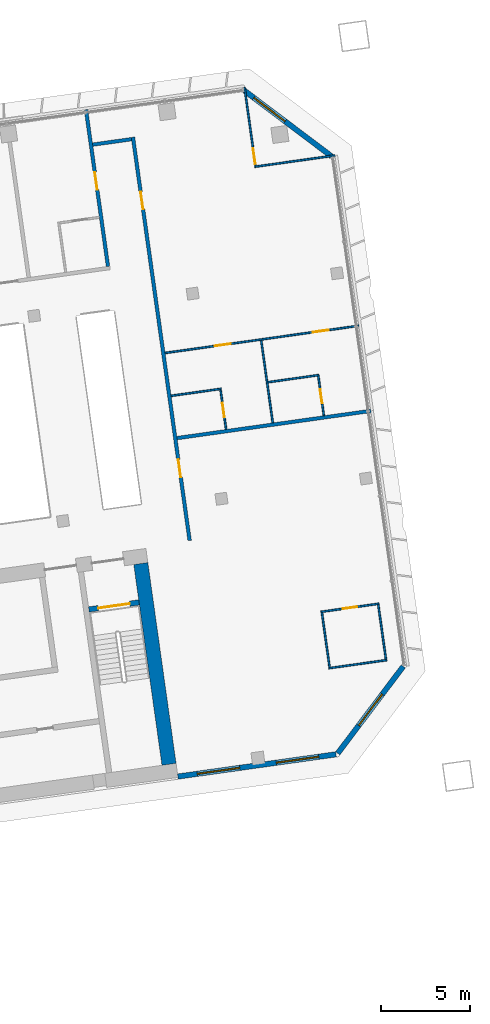
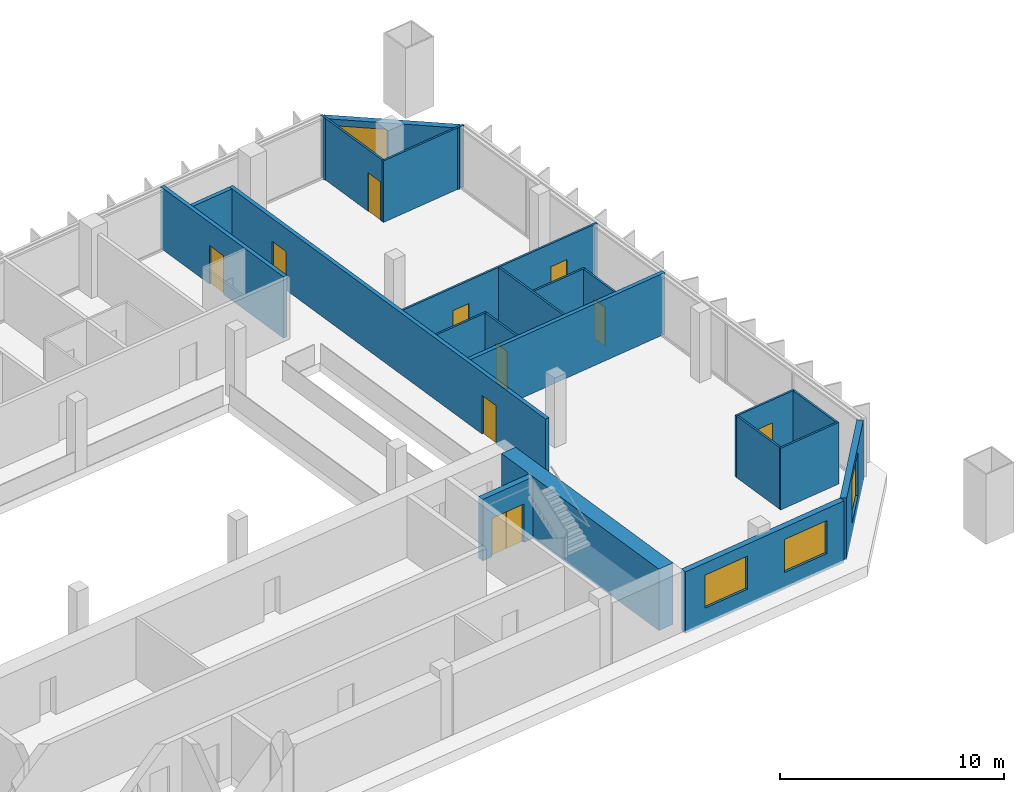
# One storey, part 21 of 24: 21 walls, 10 doors, 4 windows, 14 openings.
"""IFC4 building model written with IfcOpenShell, lengths in metres."""

from ifc_helpers import new_model, si_unit, direction, frame, frame_2d, origin, place, context, subcontext, project, spatial, rectangle, extrude, material, layer, layer_set, type_object, element, fill, save


model = new_model("IFC4")

# Units and contexts
model_context = context("Model", 3, precision=1e-05, world=origin(), true_north=direction((0.0, 1.0)))
body_context = subcontext(model_context, "Body", "Model", "MODEL_VIEW")
ifc_project = project(units=[si_unit("LENGTHUNIT", "METRE"), si_unit("AREAUNIT", "SQUARE_METRE"), si_unit("VOLUMEUNIT", "CUBIC_METRE"), si_unit("PLANEANGLEUNIT", "RADIAN"), si_unit("MASSUNIT", "GRAM", prefix="KILO")], contexts=[model_context])

# Site, building, storey
site_placement = place(None, origin())
site = spatial("IfcSite", under=ifc_project, at=site_placement, CompositionType="ELEMENT")
building_placement = place(site_placement, origin())
building = spatial("IfcBuilding", under=site, at=building_placement, Name="Mirante Cascada Hotel Towers", CompositionType="ELEMENT")
storey_placement = place(building_placement, frame((0.0, 0.0, 132.9)))
storey = spatial("IfcBuildingStorey", under=building, at=storey_placement, Name="L30", CompositionType="ELEMENT", Elevation=132.9)

# Walls
ifc_material_1 = material(Name="Fire-rated plasterboard on metal studs")
ifc_layer_1 = layer(ifc_material_1, 0.2)
ifc_layer_set_1 = layer_set([ifc_layer_1], Name="Compartment wall 200 EI 120")
wall_type_1 = type_object("IfcWallType", Name="Compartment wall 200 EI 120", PredefinedType="PARTITIONING", material=ifc_layer_set_1)
wall_1_placement = place(storey_placement, frame((90.4064, 6.4896, 0.0), z_axis=(0.0, 0.0, 1.0), x_axis=(0.990268, 0.1391733, 0.0)))
element("IfcWall", 1, at=wall_1_placement, inside=storey, type_object=wall_type_1, Name="Wall 2-L30-05", PredefinedType="PARTITIONING", context=body_context, shape_type="SweptSolid", body=[
    extrude(rectangle(XDim=11.0, YDim=0.2, at=frame_2d((5.5, 0.0))), origin(), (0.0, 0.0, 1.0), 3.35),
])
wall_2_placement = place(storey_placement, frame((85.6638, 22.9901, 0.0), z_axis=(0.0, 0.0, 1.0), x_axis=(0.990267, 0.139181, 0.0)))
element("IfcWall", 2, at=wall_2_placement, inside=storey, type_object=wall_type_1, Name="Wall 2-L30-21", PredefinedType="PARTITIONING", context=body_context, shape_type="SweptSolid", body=[
    extrude(rectangle(XDim=2.2, YDim=0.2, at=frame_2d((1.1, 0.0))), origin(), (0.0, 0.0, 1.0), 3.35),
])

# Wall, opening, door
wall_3_placement = place(storey_placement, frame((86.525, 16.1433, 0.0), z_axis=(0.0, 0.0, 1.0), x_axis=(-0.1391684, 0.9902687, 0.0)))
wall_3 = element("IfcWall", 3, at=wall_3_placement, inside=storey, type_object=wall_type_1, Name="Wall 2-L30-45", PredefinedType="PARTITIONING", context=body_context, shape_type="SweptSolid", body=[
    extrude(rectangle(XDim=8.9, YDim=0.2, at=frame_2d((4.45, 0.0))), origin(), (0.0, 0.0, 1.0), 3.35),
])
opening_1_placement = place(wall_3_placement, frame((4.35, 0.0, 0.0)))
opening_1 = element("IfcOpeningElement", 4, at=opening_1_placement, cuts=wall_3, Name="Opening D2-L30-26", PredefinedType="OPENING", context=body_context, shape_type="SweptSolid", body=[
    extrude(rectangle(XDim=1.0, YDim=2.1, at=frame_2d((0.5, 1.05))), frame((0.0, 0.1, 0.0), z_axis=(0.0, -1.0, 0.0), x_axis=(1.0, 0.0, 0.0)), (0.0, 0.0, 1.0), 0.2),
])
ifc_material_2 = material(Name="Fire-rated timber door leaf", Category="wood")
door_type_1 = type_object("IfcDoorType", Name="Entrance door DG1 1000x2100 EI 60", OperationType="SINGLE_SWING_LEFT", PredefinedType="DOOR", material=ifc_material_2)
door_1_placement = place(opening_1_placement, origin())
door_1 = element("IfcDoor", 5, at=door_1_placement, inside=storey, type_object=door_type_1, Name="Door D2-L30-26", OperationType="SINGLE_SWING_LEFT", OverallHeight=2.1, OverallWidth=1.0, PredefinedType="DOOR", context=body_context, shape_type="SweptSolid", body=[
    extrude(rectangle(XDim=1.0, YDim=2.1, at=frame_2d((0.5, 1.05))), frame((0.0, 0.025, 0.0), z_axis=(0.0, -1.0, 0.0), x_axis=(1.0, 0.0, 0.0)), (0.0, 0.0, 1.0), 0.05),
])
fill(opening_1, door_1)

# Wall, openings, doors
wall_4_placement = place(storey_placement, frame((87.9275, 23.4092, 0.0), z_axis=(0.0, 0.0, 1.0), x_axis=(0.1391706, -0.9902684, 0.0)))
wall_4 = element("IfcWall", 6, at=wall_4_placement, inside=storey, type_object=wall_type_1, Name="Wall 2-L30-46", PredefinedType="PARTITIONING", context=body_context, shape_type="SweptSolid", body=[
    extrude(rectangle(XDim=22.9, YDim=0.2, at=frame_2d((11.45, 0.0))), origin(), (0.0, 0.0, 1.0), 3.35),
])
opening_2_placement = place(wall_4_placement, frame((18.3, 0.0, 0.0)))
opening_2 = element("IfcOpeningElement", 7, at=opening_2_placement, cuts=wall_4, Name="Opening D2-L30-27", PredefinedType="OPENING", context=body_context, shape_type="SweptSolid", body=[
    extrude(rectangle(XDim=1.0, YDim=2.1, at=frame_2d((0.5, 1.05))), frame((0.0, 0.1, 0.0), z_axis=(0.0, -1.0, 0.0), x_axis=(1.0, 0.0, 0.0)), (0.0, 0.0, 1.0), 0.2),
])
opening_3_placement = place(wall_4_placement, frame((3.1, 0.0, 0.0)))
opening_3 = element("IfcOpeningElement", 8, at=opening_3_placement, cuts=wall_4, Name="Opening D2-L30-28", PredefinedType="OPENING", context=body_context, shape_type="SweptSolid", body=[
    extrude(rectangle(XDim=1.0, YDim=2.1, at=frame_2d((0.5, 1.05))), frame((0.0, 0.1, 0.0), z_axis=(0.0, -1.0, 0.0), x_axis=(1.0, 0.0, 0.0)), (0.0, 0.0, 1.0), 0.2),
])
door_2_placement = place(opening_2_placement, origin())
door_2 = element("IfcDoor", 9, at=door_2_placement, inside=storey, type_object=door_type_1, Name="Door D2-L30-27", OperationType="SINGLE_SWING_LEFT", OverallHeight=2.1, OverallWidth=1.0, PredefinedType="DOOR", context=body_context, shape_type="SweptSolid", body=[
    extrude(rectangle(XDim=1.0, YDim=2.1, at=frame_2d((0.5, 1.05))), frame((0.0, 0.025, 0.0), z_axis=(0.0, -1.0, 0.0), x_axis=(1.0, 0.0, 0.0)), (0.0, 0.0, 1.0), 0.05),
])
fill(opening_2, door_2)
door_3_placement = place(opening_3_placement, origin())
door_3 = element("IfcDoor", 10, at=door_3_placement, inside=storey, type_object=door_type_1, Name="Door D2-L30-28", OperationType="SINGLE_SWING_LEFT", OverallHeight=2.1, OverallWidth=1.0, PredefinedType="DOOR", context=body_context, shape_type="SweptSolid", body=[
    extrude(rectangle(XDim=1.0, YDim=2.1, at=frame_2d((0.5, 1.05))), frame((0.0, 0.025, 0.0), z_axis=(0.0, -1.0, 0.0), x_axis=(1.0, 0.0, 0.0)), (0.0, 0.0, 1.0), 0.05),
])
fill(opening_3, door_3)

# Wall
ifc_material_3 = material(Name="Plasterboard on metal studs")
ifc_layer_2 = layer(ifc_material_3, 0.1)
ifc_layer_set_2 = layer_set([ifc_layer_2], Name="Partition 100")
wall_type_2 = type_object("IfcWallType", Name="Partition 100", PredefinedType="PARTITIONING", material=ifc_layer_set_2)
wall_5_placement = place(storey_placement, frame((98.9401, -6.4487, 0.0), z_axis=(0.0, 0.0, 1.0), x_axis=(0.9902664, 0.1391852, 0.0)))
element("IfcWall", 11, at=wall_5_placement, inside=storey, type_object=wall_type_2, Name="Wall 2-L30-01", PredefinedType="PARTITIONING", context=body_context, shape_type="SweptSolid", body=[
    extrude(rectangle(XDim=3.2999, YDim=0.1, at=frame_2d((1.65, 0.0))), origin(), (0.0, 0.0, 1.0), 3.35),
])

# Wall, opening, door
wall_6_placement = place(storey_placement, frame((101.7626, -2.8206, 0.0), z_axis=(0.0, 0.0, 1.0), x_axis=(-0.9902711, -0.1391513, 0.0)))
wall_6 = element("IfcWall", 12, at=wall_6_placement, inside=storey, type_object=wall_type_2, Name="Wall 2-L30-02", PredefinedType="PARTITIONING", context=body_context, shape_type="SweptSolid", body=[
    extrude(rectangle(XDim=3.3, YDim=0.1, at=frame_2d((1.65, 0.0))), origin(), (0.0, 0.0, 1.0), 3.35),
])
opening_4_placement = place(wall_6_placement, frame((1.25, 0.0, 0.0)))
opening_4 = element("IfcOpeningElement", 13, at=opening_4_placement, cuts=wall_6, Name="Opening D2-L30-01", PredefinedType="OPENING", context=body_context, shape_type="SweptSolid", body=[
    extrude(rectangle(XDim=0.8, YDim=2.1, at=frame_2d((0.4, 1.05))), frame((0.0, 0.05, 0.0), z_axis=(0.0, -1.0, 0.0), x_axis=(1.0, 0.0, 0.0)), (0.0, 0.0, 1.0), 0.1),
])
ifc_material_4 = material(Name="Timber door leaf", Category="wood")
door_type_2 = type_object("IfcDoorType", Name="Bathroom door DG4 800x2100", OperationType="SINGLE_SWING_LEFT", PredefinedType="DOOR", material=ifc_material_4)
door_4_placement = place(opening_4_placement, frame((0.8, 0.0, 0.0), z_axis=(0.0, 0.0, 1.0), x_axis=(-1.0, 0.0, 0.0)))
door_4 = element("IfcDoor", 14, at=door_4_placement, inside=storey, type_object=door_type_2, Name="Door D2-L30-01", OperationType="SINGLE_SWING_RIGHT", OverallHeight=2.1, OverallWidth=0.8, PredefinedType="DOOR", context=body_context, shape_type="SweptSolid", body=[
    extrude(rectangle(XDim=0.8, YDim=2.1, at=frame_2d((0.4, 1.05))), frame((0.0, 0.025, 0.0), z_axis=(0.0, -1.0, 0.0), x_axis=(1.0, 0.0, 0.0)), (0.0, 0.0, 1.0), 0.05),
])
fill(opening_4, door_4)

# Walls
wall_7_placement = place(storey_placement, frame((90.0723, 8.8662, 0.0), z_axis=(0.0, 0.0, 1.0), x_axis=(0.9902704, 0.1391564, 0.0)))
element("IfcWall", 15, at=wall_7_placement, inside=storey, type_object=wall_type_2, Name="Wall 2-L30-07", PredefinedType="PARTITIONING", context=body_context, shape_type="SweptSolid", body=[
    extrude(rectangle(XDim=2.85, YDim=0.1, at=frame_2d((1.425, 0.0))), origin(), (0.0, 0.0, 1.0), 3.35),
])
wall_8_placement = place(storey_placement, frame((98.3906, 10.0353, 0.0), z_axis=(0.0, 0.0, 1.0), x_axis=(-0.9902683, -0.1391714, 0.0)))
element("IfcWall", 16, at=wall_8_placement, inside=storey, type_object=wall_type_2, Name="Wall 2-L30-08", PredefinedType="PARTITIONING", context=body_context, shape_type="SweptSolid", body=[
    extrude(rectangle(XDim=2.9, YDim=0.1, at=frame_2d((1.45, 0.0))), origin(), (0.0, 0.0, 1.0), 3.35),
])

# Wall, openings, doors
wall_9_placement = place(storey_placement, frame((100.6266, 12.8067, 0.0), z_axis=(0.0, 0.0, 1.0), x_axis=(-0.990268, -0.1391733, 0.0)))
wall_9 = element("IfcWall", 17, at=wall_9_placement, inside=storey, type_object=wall_type_2, Name="Wall 2-L30-10", PredefinedType="PARTITIONING", context=body_context, shape_type="SweptSolid", body=[
    extrude(rectangle(XDim=11.0, YDim=0.1, at=frame_2d((5.5, 0.0))), origin(), (0.0, 0.0, 1.0), 3.35),
])
opening_5_placement = place(wall_9_placement, frame((7.275, 0.0, 0.0)))
opening_5 = element("IfcOpeningElement", 18, at=opening_5_placement, cuts=wall_9, Name="Opening D2-L30-02", PredefinedType="OPENING", context=body_context, shape_type="SweptSolid", body=[
    extrude(rectangle(XDim=0.9, YDim=2.1, at=frame_2d((0.45, 1.05))), frame((0.0, 0.05, 0.0), z_axis=(0.0, -1.0, 0.0), x_axis=(1.0, 0.0, 0.0)), (0.0, 0.0, 1.0), 0.1),
])
opening_6_placement = place(wall_9_placement, frame((1.725, 0.0, 0.0)))
opening_6 = element("IfcOpeningElement", 19, at=opening_6_placement, cuts=wall_9, Name="Opening D2-L30-03", PredefinedType="OPENING", context=body_context, shape_type="SweptSolid", body=[
    extrude(rectangle(XDim=0.9, YDim=2.1, at=frame_2d((0.45, 1.05))), frame((0.0, 0.05, 0.0), z_axis=(0.0, -1.0, 0.0), x_axis=(1.0, 0.0, 0.0)), (0.0, 0.0, 1.0), 0.1),
])
ifc_material_5 = material(Name="Timber door leaf", Category="wood")
door_type_3 = type_object("IfcDoorType", Name="Room door DG3 900x2100", OperationType="SINGLE_SWING_LEFT", PredefinedType="DOOR", material=ifc_material_5)
door_5_placement = place(opening_5_placement, frame((0.9, 0.0, 0.0), z_axis=(0.0, 0.0, 1.0), x_axis=(-1.0, 0.0, 0.0)))
door_5 = element("IfcDoor", 20, at=door_5_placement, inside=storey, type_object=door_type_3, Name="Door D2-L30-02", OperationType="SINGLE_SWING_RIGHT", OverallHeight=2.1, OverallWidth=0.9, PredefinedType="DOOR", context=body_context, shape_type="SweptSolid", body=[
    extrude(rectangle(XDim=0.9, YDim=2.1, at=frame_2d((0.45, 1.05))), frame((0.0, 0.025, 0.0), z_axis=(0.0, -1.0, 0.0), x_axis=(1.0, 0.0, 0.0)), (0.0, 0.0, 1.0), 0.05),
])
fill(opening_5, door_5)
door_6_placement = place(opening_6_placement, frame((0.9, 0.0, 0.0), z_axis=(0.0, 0.0, 1.0), x_axis=(-1.0, 0.0, 0.0)))
door_6 = element("IfcDoor", 21, at=door_6_placement, inside=storey, type_object=door_type_3, Name="Door D2-L30-03", OperationType="SINGLE_SWING_RIGHT", OverallHeight=2.1, OverallWidth=0.9, PredefinedType="DOOR", context=body_context, shape_type="SweptSolid", body=[
    extrude(rectangle(XDim=0.9, YDim=2.1, at=frame_2d((0.45, 1.05))), frame((0.0, 0.025, 0.0), z_axis=(0.0, -1.0, 0.0), x_axis=(1.0, 0.0, 0.0)), (0.0, 0.0, 1.0), 0.05),
])
fill(opening_6, door_6)

# Wall
wall_10_placement = place(storey_placement, frame((94.7756, 21.7461, 0.0), z_axis=(0.0, 0.0, 1.0), x_axis=(0.9902661, 0.1391871, 0.0)))
element("IfcWall", 22, at=wall_10_placement, inside=storey, type_object=wall_type_2, Name="Wall 2-L30-19", PredefinedType="PARTITIONING", context=body_context, shape_type="SweptSolid", body=[
    extrude(rectangle(XDim=4.55, YDim=0.1, at=frame_2d((2.275, 0.0))), origin(), (0.0, 0.0, 1.0), 3.35),
])

# Wall, opening, door
wall_11_placement = place(storey_placement, frame((93.1652, 6.9783, 0.0), z_axis=(0.0, 0.0, 1.0), x_axis=(-0.1391997, 0.9902643, 0.0)))
wall_11 = element("IfcWall", 23, at=wall_11_placement, inside=storey, type_object=wall_type_2, Name="Wall 2-L30-47", PredefinedType="PARTITIONING", context=body_context, shape_type="SweptSolid", body=[
    extrude(rectangle(XDim=2.25, YDim=0.1, at=frame_2d((1.125, 0.0))), origin(), (0.0, 0.0, 1.0), 3.35),
])
opening_7_placement = place(wall_11_placement, frame((0.7, 0.0, 0.0)))
opening_7 = element("IfcOpeningElement", 24, at=opening_7_placement, cuts=wall_11, Name="Opening D2-L30-29", PredefinedType="OPENING", context=body_context, shape_type="SweptSolid", body=[
    extrude(rectangle(XDim=0.8, YDim=2.1, at=frame_2d((0.4, 1.05))), frame((0.0, 0.05, 0.0), z_axis=(0.0, -1.0, 0.0), x_axis=(1.0, 0.0, 0.0)), (0.0, 0.0, 1.0), 0.1),
])
door_7_placement = place(opening_7_placement, origin())
door_7 = element("IfcDoor", 25, at=door_7_placement, inside=storey, type_object=door_type_2, Name="Door D2-L30-29", OperationType="SINGLE_SWING_LEFT", OverallHeight=2.1, OverallWidth=0.8, PredefinedType="DOOR", context=body_context, shape_type="SweptSolid", body=[
    extrude(rectangle(XDim=0.8, YDim=2.1, at=frame_2d((0.4, 1.05))), frame((0.0, 0.025, 0.0), z_axis=(0.0, -1.0, 0.0), x_axis=(1.0, 0.0, 0.0)), (0.0, 0.0, 1.0), 0.05),
])
fill(opening_7, door_7)

# Wall
wall_12_placement = place(storey_placement, frame((95.1376, 11.9848, 0.0), z_axis=(0.0, 0.0, 1.0), x_axis=(0.139176, -0.9902677, 0.0)))
element("IfcWall", 26, at=wall_12_placement, inside=storey, type_object=wall_type_2, Name="Wall 2-L30-48", PredefinedType="PARTITIONING", context=body_context, shape_type="SweptSolid", body=[
    extrude(rectangle(XDim=4.6833, YDim=0.1, at=frame_2d((2.3416, 0.0))), origin(), (0.0, 0.0, 1.0), 3.35),
])

# Wall, opening, door
wall_13_placement = place(storey_placement, frame((94.8181, 21.8026, 0.0), z_axis=(0.0, 0.0, 1.0), x_axis=(-0.1391684, 0.9902687, 0.0)))
wall_13 = element("IfcWall", 27, at=wall_13_placement, inside=storey, type_object=wall_type_2, Name="Wall 2-L30-49", PredefinedType="PARTITIONING", context=body_context, shape_type="SweptSolid", body=[
    extrude(rectangle(XDim=4.45, YDim=0.1, at=frame_2d((2.225, 0.0))), origin(), (0.0, 0.0, 1.0), 3.35),
])
opening_8_placement = place(wall_13_placement, frame((0.1, 0.0, 0.0)))
opening_8 = element("IfcOpeningElement", 28, at=opening_8_placement, cuts=wall_13, Name="Opening D2-L30-30", PredefinedType="OPENING", context=body_context, shape_type="SweptSolid", body=[
    extrude(rectangle(XDim=0.9, YDim=2.1, at=frame_2d((0.45, 1.05))), frame((0.0, 0.05, 0.0), z_axis=(0.0, -1.0, 0.0), x_axis=(1.0, 0.0, 0.0)), (0.0, 0.0, 1.0), 0.1),
])
door_8_placement = place(opening_8_placement, origin())
door_8 = element("IfcDoor", 29, at=door_8_placement, inside=storey, type_object=door_type_3, Name="Door D2-L30-30", OperationType="SINGLE_SWING_LEFT", OverallHeight=2.1, OverallWidth=0.9, PredefinedType="DOOR", context=body_context, shape_type="SweptSolid", body=[
    extrude(rectangle(XDim=0.9, YDim=2.1, at=frame_2d((0.45, 1.05))), frame((0.0, 0.025, 0.0), z_axis=(0.0, -1.0, 0.0), x_axis=(1.0, 0.0, 0.0)), (0.0, 0.0, 1.0), 0.05),
])
fill(opening_8, door_8)

# Wall
wall_14_placement = place(storey_placement, frame((98.5512, -3.3224, 0.0), z_axis=(0.0, 0.0, 1.0), x_axis=(0.1391629, -0.9902695, 0.0)))
element("IfcWall", 30, at=wall_14_placement, inside=storey, type_object=wall_type_2, Name="Wall 2-L30-50", PredefinedType="PARTITIONING", context=body_context, shape_type="SweptSolid", body=[
    extrude(rectangle(XDim=3.1, YDim=0.1, at=frame_2d((1.55, 0.0))), origin(), (0.0, 0.0, 1.0), 3.35),
])

# Wall, opening, door
wall_15_placement = place(storey_placement, frame((98.6612, 7.7507, 0.0), z_axis=(0.0, 0.0, 1.0), x_axis=(-0.1391997, 0.9902643, 0.0)))
wall_15 = element("IfcWall", 31, at=wall_15_placement, inside=storey, type_object=wall_type_2, Name="Wall 2-L30-51", PredefinedType="PARTITIONING", context=body_context, shape_type="SweptSolid", body=[
    extrude(rectangle(XDim=2.25, YDim=0.1, at=frame_2d((1.125, 0.0))), origin(), (0.0, 0.0, 1.0), 3.35),
])
opening_9_placement = place(wall_15_placement, frame((0.7, 0.0, 0.0)))
opening_9 = element("IfcOpeningElement", 32, at=opening_9_placement, cuts=wall_15, Name="Opening D2-L30-31", PredefinedType="OPENING", context=body_context, shape_type="SweptSolid", body=[
    extrude(rectangle(XDim=0.8, YDim=2.1, at=frame_2d((0.4, 1.05))), frame((0.0, 0.05, 0.0), z_axis=(0.0, -1.0, 0.0), x_axis=(1.0, 0.0, 0.0)), (0.0, 0.0, 1.0), 0.1),
])
door_9_placement = place(opening_9_placement, origin())
door_9 = element("IfcDoor", 33, at=door_9_placement, inside=storey, type_object=door_type_2, Name="Door D2-L30-31", OperationType="SINGLE_SWING_LEFT", OverallHeight=2.1, OverallWidth=0.8, PredefinedType="DOOR", context=body_context, shape_type="SweptSolid", body=[
    extrude(rectangle(XDim=0.8, YDim=2.1, at=frame_2d((0.4, 1.05))), frame((0.0, 0.025, 0.0), z_axis=(0.0, -1.0, 0.0), x_axis=(1.0, 0.0, 0.0)), (0.0, 0.0, 1.0), 0.05),
])
fill(opening_9, door_9)

# Wall
wall_16_placement = place(storey_placement, frame((101.72, -2.877, 0.0), z_axis=(0.0, 0.0, 1.0), x_axis=(0.1391901, -0.9902657, 0.0)))
element("IfcWall", 34, at=wall_16_placement, inside=storey, type_object=wall_type_2, Name="Wall 2-L30-52", PredefinedType="PARTITIONING", context=body_context, shape_type="SweptSolid", body=[
    extrude(rectangle(XDim=3.1001, YDim=0.1, at=frame_2d((1.55, 0.0))), origin(), (0.0, 0.0, 1.0), 3.35),
])

# Wall, openings, windows
ifc_material_6 = material(Name="Precast concrete C40/50", Category="concrete")
ifc_layer_3 = layer(ifc_material_6, 0.3)
ifc_layer_set_3 = layer_set([ifc_layer_3], Name="Precast concrete C40/50 cladding wall 300")
wall_type_3 = type_object("IfcWallType", Name="Precast concrete C40/50 cladding wall 300", PredefinedType="STANDARD", material=ifc_layer_set_3)
wall_17_placement = place(storey_placement, frame((90.4551, -12.5388, 0.0), z_axis=(0.0, 0.0, 1.0), x_axis=(0.9902678, 0.1391749, 0.0)))
wall_17 = element("IfcWall", 35, at=wall_17_placement, inside=storey, type_object=wall_type_3, Name="Rear cladding wall T2 L30 1", PredefinedType="STANDARD", context=body_context, shape_type="SweptSolid", body=[
    extrude(rectangle(XDim=8.9758, YDim=0.3, at=frame_2d((4.4879, 0.0))), origin(), (0.0, 0.0, 1.0), 3.35),
])
opening_10_placement = place(wall_17_placement, frame((1.1012, 0.0, 0.9)))
opening_10 = element("IfcOpeningElement", 36, at=opening_10_placement, cuts=wall_17, Name="Opening W2-30-01", PredefinedType="OPENING", context=body_context, shape_type="SweptSolid", body=[
    extrude(rectangle(XDim=2.4, YDim=1.8, at=frame_2d((1.2, 0.9))), frame((0.0, 0.15, 0.0), z_axis=(0.0, -1.0, 0.0), x_axis=(1.0, 0.0, 0.0)), (0.0, 0.0, 1.0), 0.3),
])
opening_11_placement = place(wall_17_placement, frame((5.5923, 0.0, 0.9)))
opening_11 = element("IfcOpeningElement", 37, at=opening_11_placement, cuts=wall_17, Name="Opening W2-30-02", PredefinedType="OPENING", context=body_context, shape_type="SweptSolid", body=[
    extrude(rectangle(XDim=2.4, YDim=1.8, at=frame_2d((1.2, 0.9))), frame((0.0, 0.15, 0.0), z_axis=(0.0, -1.0, 0.0), x_axis=(1.0, 0.0, 0.0)), (0.0, 0.0, 1.0), 0.3),
])
ifc_material_7 = material(Name="Aluminium frame with clear double glazing", Category="aluminium")
window_type_1 = type_object("IfcWindowType", Name="Punched window 2400x1800", PartitioningType="DOUBLE_PANEL_VERTICAL", PredefinedType="WINDOW", material=ifc_material_7)
window_1_placement = place(opening_10_placement, origin())
window_1 = element("IfcWindow", 38, at=window_1_placement, inside=storey, type_object=window_type_1, Name="Window W2-30-01", OverallHeight=1.8, OverallWidth=2.4, PartitioningType="SINGLE_PANEL", PredefinedType="WINDOW", context=body_context, shape_type="SweptSolid", body=[
    extrude(rectangle(XDim=2.4, YDim=1.8, at=frame_2d((1.2, 0.9))), frame((0.0, 0.03, 0.0), z_axis=(0.0, -1.0, 0.0), x_axis=(1.0, 0.0, 0.0)), (0.0, 0.0, 1.0), 0.06),
])
fill(opening_10, window_1)
window_2_placement = place(opening_11_placement, origin())
window_2 = element("IfcWindow", 39, at=window_2_placement, inside=storey, type_object=window_type_1, Name="Window W2-30-02", OverallHeight=1.8, OverallWidth=2.4, PartitioningType="SINGLE_PANEL", PredefinedType="WINDOW", context=body_context, shape_type="SweptSolid", body=[
    extrude(rectangle(XDim=2.4, YDim=1.8, at=frame_2d((1.2, 0.9))), frame((0.0, 0.03, 0.0), z_axis=(0.0, -1.0, 0.0), x_axis=(1.0, 0.0, 0.0)), (0.0, 0.0, 1.0), 0.06),
])
fill(opening_11, window_2)

# Wall, opening, window
wall_18_placement = place(storey_placement, frame((99.4424, -11.2313, 0.0), z_axis=(0.0, 0.0, 1.0), x_axis=(0.6018194, 0.7986322, 0.0)))
wall_18 = element("IfcWall", 40, at=wall_18_placement, inside=storey, type_object=wall_type_3, Name="Corner cladding wall T2 L30 rear outer", PredefinedType="STANDARD", context=body_context, shape_type="SweptSolid", body=[
    extrude(rectangle(XDim=6.1155, YDim=0.3, at=frame_2d((3.0578, 0.0))), origin(), (0.0, 0.0, 1.0), 3.35),
])
opening_12_placement = place(wall_18_placement, frame((1.9576, 0.0, 0.6)))
opening_12 = element("IfcOpeningElement", 41, at=opening_12_placement, cuts=wall_18, Name="Opening W2-30-03", PredefinedType="OPENING", context=body_context, shape_type="SweptSolid", body=[
    extrude(rectangle(XDim=2.2, YDim=2.4, at=frame_2d((1.1, 1.2))), frame((0.0, 0.15, 0.0), z_axis=(0.0, -1.0, 0.0), x_axis=(1.0, 0.0, 0.0)), (0.0, 0.0, 1.0), 0.3),
])
ifc_material_8 = material(Name="Aluminium frame with clear double glazing", Category="aluminium")
window_type_2 = type_object("IfcWindowType", Name="Corner suite window 2200x2400", PartitioningType="DOUBLE_PANEL_VERTICAL", PredefinedType="WINDOW", material=ifc_material_8)
window_3_placement = place(opening_12_placement, origin())
window_3 = element("IfcWindow", 42, at=window_3_placement, inside=storey, type_object=window_type_2, Name="Window W2-30-03", OverallHeight=2.4, OverallWidth=2.2, PartitioningType="SINGLE_PANEL", PredefinedType="WINDOW", context=body_context, shape_type="SweptSolid", body=[
    extrude(rectangle(XDim=2.2, YDim=2.4, at=frame_2d((1.1, 1.2))), frame((0.0, 0.03, 0.0), z_axis=(0.0, -1.0, 0.0), x_axis=(1.0, 0.0, 0.0)), (0.0, 0.0, 1.0), 0.06),
])
fill(opening_12, window_3)

wall_19_placement = place(storey_placement, frame((99.0919, 22.3343, 0.0), z_axis=(0.0, 0.0, 1.0), x_axis=(-0.7986362, 0.6018141, 0.0)))
wall_19 = element("IfcWall", 43, at=wall_19_placement, inside=storey, type_object=wall_type_3, Name="Corner cladding wall T2 L30 outer front", PredefinedType="STANDARD", context=body_context, shape_type="SweptSolid", body=[
    extrude(rectangle(XDim=6.1157, YDim=0.3, at=frame_2d((3.0578, 0.0))), origin(), (0.0, 0.0, 1.0), 3.35),
])
opening_13_placement = place(wall_19_placement, frame((3.2692, 0.0, 0.6)))
opening_13 = element("IfcOpeningElement", 44, at=opening_13_placement, cuts=wall_19, Name="Opening W2-30-04", PredefinedType="OPENING", context=body_context, shape_type="SweptSolid", body=[
    extrude(rectangle(XDim=2.2, YDim=2.4, at=frame_2d((1.1, 1.2))), frame((0.0, 0.15, 0.0), z_axis=(0.0, -1.0, 0.0), x_axis=(1.0, 0.0, 0.0)), (0.0, 0.0, 1.0), 0.3),
])
window_4_placement = place(opening_13_placement, origin())
window_4 = element("IfcWindow", 45, at=window_4_placement, inside=storey, type_object=window_type_2, Name="Window W2-30-04", OverallHeight=2.4, OverallWidth=2.2, PartitioningType="SINGLE_PANEL", PredefinedType="WINDOW", context=body_context, shape_type="SweptSolid", body=[
    extrude(rectangle(XDim=2.2, YDim=2.4, at=frame_2d((1.1, 1.2))), frame((0.0, 0.03, 0.0), z_axis=(0.0, -1.0, 0.0), x_axis=(1.0, 0.0, 0.0)), (0.0, 0.0, 1.0), 0.06),
])
fill(opening_13, window_4)

# Wall, opening, door
ifc_material_9 = material(Name="Concrete C50/60", Category="concrete")
ifc_layer_4 = layer(ifc_material_9, 0.3)
ifc_layer_set_4 = layer_set([ifc_layer_4], Name="RC core wall 300 C50/60")
wall_type_4 = type_object("IfcWallType", Name="RC core wall 300 C50/60", PredefinedType="SHEAR", material=ifc_layer_set_4)
wall_20_placement = place(storey_placement, frame((85.4489, -3.1441, 0.0), z_axis=(0.0, 0.0, 1.0), x_axis=(0.9902697, 0.1391613, 0.0)))
wall_20 = element("IfcWall", 46, at=wall_20_placement, inside=storey, type_object=wall_type_4, Name="Core wall T2:L30:11", PredefinedType="SHEAR", context=body_context, shape_type="SweptSolid", body=[
    extrude(rectangle(XDim=2.8499, YDim=0.3, at=frame_2d((1.425, 0.0))), origin(), (0.0, 0.0, 1.0), 3.35),
])
opening_14_placement = place(wall_20_placement, frame((0.525, 0.0, 0.0)))
opening_14 = element("IfcOpeningElement", 47, at=opening_14_placement, cuts=wall_20, Name="Opening D2-30-C17", PredefinedType="OPENING", context=body_context, shape_type="SweptSolid", body=[
    extrude(rectangle(XDim=1.8, YDim=2.1, at=frame_2d((0.9, 1.05))), frame((0.0, 0.15, 0.0), z_axis=(0.0, -1.0, 0.0), x_axis=(1.0, 0.0, 0.0)), (0.0, 0.0, 1.0), 0.3),
])
ifc_material_10 = material(Name="Hollow metal fire door leaf")
door_type_4 = type_object("IfcDoorType", Name="Double fire door 1800x2100 FD60", OperationType="DOUBLE_DOOR_SINGLE_SWING", PredefinedType="DOOR", material=ifc_material_10)
door_10_placement = place(opening_14_placement, frame((1.8, 0.0, 0.0), z_axis=(0.0, 0.0, 1.0), x_axis=(-1.0, 0.0, 0.0)))
door_10 = element("IfcDoor", 48, at=door_10_placement, inside=storey, type_object=door_type_4, Name="Stair door T2 L30 17", OperationType="DOUBLE_DOOR_SINGLE_SWING", OverallHeight=2.1, OverallWidth=1.8, PredefinedType="DOOR", context=body_context, shape_type="SweptSolid", body=[
    extrude(rectangle(XDim=0.895, YDim=2.1, at=frame_2d((0.4475, 1.05))), frame((0.0, 0.025, 0.0), z_axis=(0.0, -1.0, 0.0), x_axis=(1.0, 0.0, 0.0)), (0.0, 0.0, 1.0), 0.05),
    extrude(rectangle(XDim=0.895, YDim=2.1, at=frame_2d((1.3525, 1.05))), frame((0.0, 0.025, 0.0), z_axis=(0.0, -1.0, 0.0), x_axis=(1.0, 0.0, 0.0)), (0.0, 0.0, 1.0), 0.05),
])
fill(opening_14, door_10)

# Wall
ifc_material_11 = material(Name="Concrete C50/60", Category="concrete")
ifc_layer_5 = layer(ifc_material_11, 0.8)
ifc_layer_set_5 = layer_set([ifc_layer_5], Name="RC core wall 800 C50/60")
wall_type_5 = type_object("IfcWallType", Name="RC core wall 800 C50/60", PredefinedType="SHEAR", material=ifc_layer_set_5)
wall_21_placement = place(storey_placement, frame((89.9546, -11.8518, 0.0), z_axis=(0.0, 0.0, 1.0), x_axis=(-0.1391761, 0.9902677, 0.0)))
element("IfcWall", 49, at=wall_21_placement, inside=storey, type_object=wall_type_5, Name="Core wall T2:L30:4", PredefinedType="SHEAR", context=body_context, shape_type="SweptSolid", body=[
    extrude(rectangle(XDim=11.3999, YDim=0.8, at=frame_2d((5.7, 0.0))), origin(), (0.0, 0.0, 1.0), 3.35),
])

save(model, "model.ifc")
